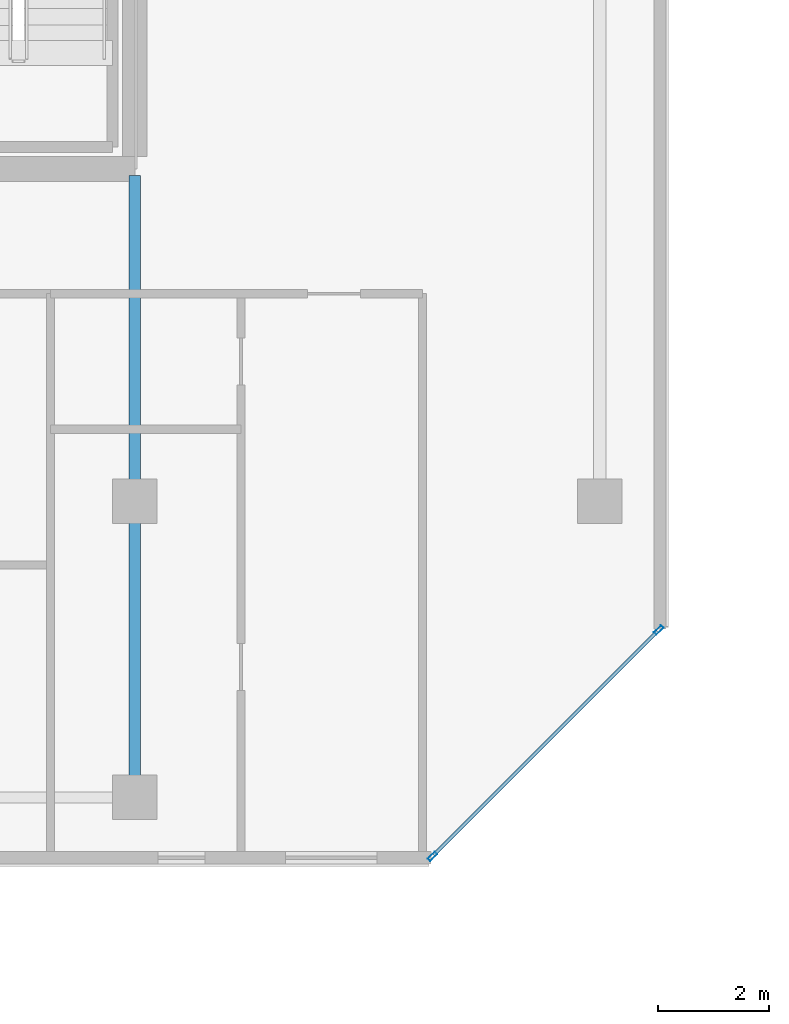
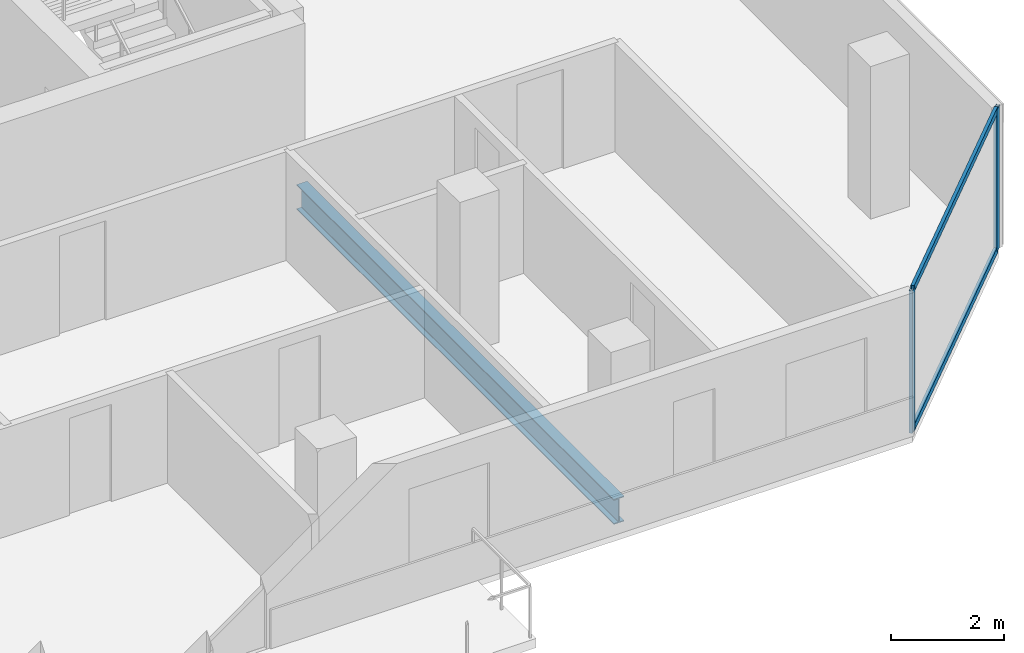
# One storey, part 14 of 28: 4 members, 1 beam, 1 element without a shape of its own.
"""IFC4 building model written with IfcOpenShell, lengths in metres."""

from ifc_helpers import new_model, si_unit, direction, frame, origin, origin_2d, place, context, subcontext, project, spatial, hollow_rectangle, i_section, extrude, material, layer, layer_set, material_profile, profile_set, type_object, element, aggregate, save


model = new_model("IFC4")

# Units and contexts
model_context = context("Model", 3, precision=1e-05, world=origin(), true_north=direction((0.0, 1.0)))
body_context = subcontext(model_context, "Body", "Model", "MODEL_VIEW")
ifc_project = project(units=[si_unit("LENGTHUNIT", "METRE"), si_unit("AREAUNIT", "SQUARE_METRE"), si_unit("VOLUMEUNIT", "CUBIC_METRE"), si_unit("PLANEANGLEUNIT", "RADIAN"), si_unit("MASSUNIT", "GRAM", prefix="KILO")], contexts=[model_context])

# Site, building, storey
site_placement = place(None, origin())
site = spatial("IfcSite", under=ifc_project, at=site_placement, CompositionType="ELEMENT")
building_placement = place(site_placement, origin())
building = spatial("IfcBuilding", under=site, at=building_placement, Name="Tanjung Sevakor Pilgrim Tower", CompositionType="ELEMENT")
storey_placement = place(building_placement, frame((0.0, 0.0, 185.1298828125)))
storey = spatial("IfcBuildingStorey", under=building, at=storey_placement, Name="L51", CompositionType="ELEMENT", Elevation=185.1298828125)

# Beam
ifc_material_1 = material(Name="Steel S355J2", Category="steel")
ifc_material_profile_1 = material_profile(ifc_material_1, i_section(OverallWidth=0.2119140625, OverallDepth=0.54443359375, WebThickness=0.0126953125, FlangeThickness=0.021240234375, FilletRadius=0.0126953125, at=origin_2d()))
ifc_profile_set_1 = profile_set([ifc_material_profile_1], Name="Steel S355J2")
beam_type = type_object("IfcBeamType", Name="BM-B-G5-UB_533x210x122", PredefinedType="BEAM", material=ifc_profile_set_1)
beam_placement = place(storey_placement, frame((90.0, 13.25, -0.4921875), z_axis=(0.0, 1.0, 0.0), x_axis=(-1.0, 0.0, 0.0)))
element("IfcBeam", 1, at=beam_placement, inside=storey, type_object=beam_type, Name="L51 MAIN Girder 013", PredefinedType="BEAM", context=body_context, shape_type="SweptSolid", body=[
    extrude(i_section(OverallWidth=0.2119140625, OverallDepth=0.54443359375, WebThickness=0.0126953125, FlangeThickness=0.021240234375, FilletRadius=0.0126953125, at=origin_2d()), origin(), (0.0, 0.0, 1.0), 11.235595703125),
])

# Curtain wall, members
ifc_material_2 = material(Name="Aluminium 6063-T6 and Low-E Glass", Category="aluminium")
ifc_layer = layer(ifc_material_2, 0.179931640625)
ifc_layer_set = layer_set([ifc_layer], Name="CW-SYS-CHAM")
curtain_wall_type = type_object("IfcCurtainWallType", Name="CW-SYS-CHAM", PredefinedType="NOTDEFINED", material=ifc_layer_set)
curtain_wall_placement = place(storey_placement, origin())
curtain_wall = element("IfcCurtainWall", 2, at=curtain_wall_placement, inside=storey, type_object=curtain_wall_type, Name="L51 Curtain Wall CW-CHM-L51-MAIN-5", PredefinedType="NOTDEFINED")
ifc_material_3 = material(Name="Aluminium 6063-T6", Category="aluminium")
ifc_material_profile_2 = material_profile(ifc_material_3, hollow_rectangle(XDim=0.06494140625, YDim=0.179931640625, WallThickness=0.00390625, at=origin_2d()))
ifc_profile_set_2 = profile_set([ifc_material_profile_2], Name="Aluminium 6063-T6")
member_type_1 = type_object("IfcMemberType", Name="TYPE-CWM-1", PredefinedType="MULLION", material=ifc_profile_set_2)
member_1_placement = place(storey_placement, frame((95.37744140625, 12.182861328125, 0.0), z_axis=(0.0, 0.0, 1.0), x_axis=(-0.707106781187, 0.707106781187, 0.0)))
member_1 = element("IfcMember", 3, at=member_1_placement, type_object=member_type_1, Name="CW-CHM mullion 1", PredefinedType="MULLION", context=body_context, shape_type="SweptSolid", body=[
    extrude(hollow_rectangle(XDim=0.06494140625, YDim=0.179931640625, WallThickness=0.00390625, at=origin_2d()), origin(), (0.0, 0.0, 1.0), 3.080078125),
])
member_2_placement = place(storey_placement, frame((99.467041015625, 16.272705078125, 0.0), z_axis=(0.0, 0.0, 1.0), x_axis=(-0.707106781187, 0.707106781187, 0.0)))
member_2 = element("IfcMember", 4, at=member_2_placement, type_object=member_type_1, Name="CW-CHM mullion 2", PredefinedType="MULLION", context=body_context, shape_type="SweptSolid", body=[
    extrude(hollow_rectangle(XDim=0.06494140625, YDim=0.179931640625, WallThickness=0.00390625, at=origin_2d()), origin(), (0.0, 0.0, 1.0), 3.080078125),
])
ifc_material_4 = material(Name="Aluminium 6063-T6", Category="aluminium")
ifc_material_profile_3 = material_profile(ifc_material_4, hollow_rectangle(XDim=0.06494140625, YDim=0.139892578125, WallThickness=0.00390625, at=origin_2d()))
ifc_profile_set_3 = profile_set([ifc_material_profile_3], Name="Aluminium 6063-T6")
member_type_2 = type_object("IfcMemberType", Name="TYPE-CWT-1", PredefinedType="USERDEFINED", material=ifc_profile_set_3)
member_3_placement = place(storey_placement, frame((95.400390625, 12.2060546875, 0.03271484375), z_axis=(0.707106781187, 0.707106781187, 0.0), x_axis=(-0.707106781187, 0.707106781187, 0.0)))
member_3 = element("IfcMember", 5, at=member_3_placement, type_object=member_type_2, Name="CW-CHM transom 1.1", ObjectType="TRANSOM", PredefinedType="USERDEFINED", context=body_context, shape_type="SweptSolid", body=[
    extrude(hollow_rectangle(XDim=0.06494140625, YDim=0.139892578125, WallThickness=0.00390625, at=origin_2d()), origin(), (0.0, 0.0, 1.0), 5.71875),
])
member_4_placement = place(storey_placement, frame((95.400390625, 12.2060546875, 3.047607421875), z_axis=(0.707106781187, 0.707106781187, 0.0), x_axis=(-0.707106781187, 0.707106781187, 0.0)))
member_4 = element("IfcMember", 6, at=member_4_placement, type_object=member_type_2, Name="CW-CHM transom 1.2", ObjectType="TRANSOM", PredefinedType="USERDEFINED", context=body_context, shape_type="SweptSolid", body=[
    extrude(hollow_rectangle(XDim=0.06494140625, YDim=0.139892578125, WallThickness=0.00390625, at=origin_2d()), origin(), (0.0, 0.0, 1.0), 5.71875),
])
aggregate(curtain_wall, [member_1, member_2, member_3, member_4])

save(model, "model.ifc")
